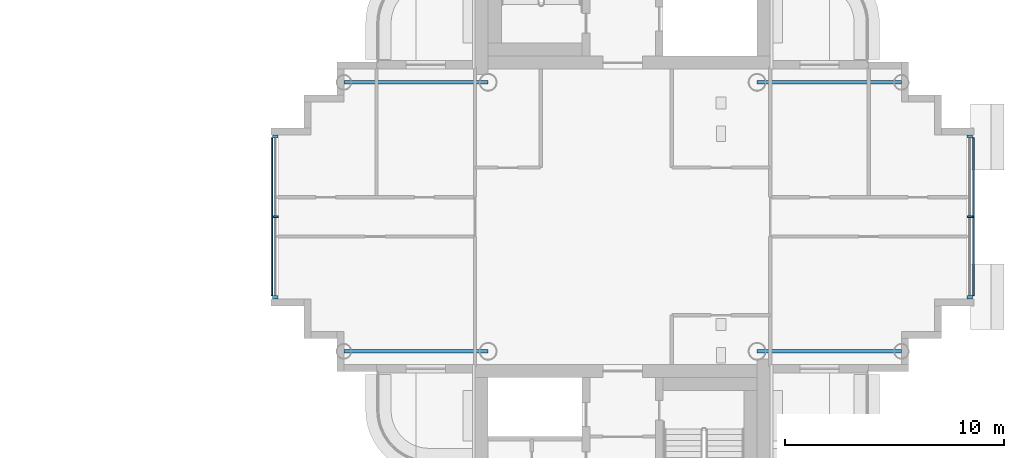
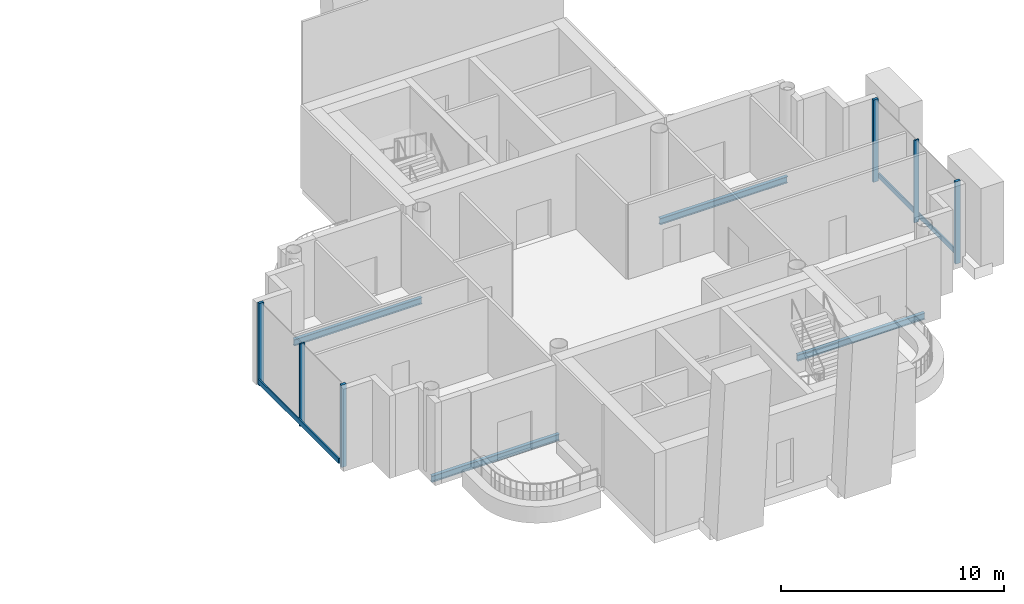
# One storey, part 4 of 20: 8 members, 4 beams, 2 elements without a shape of their own.
"""IFC4 building model written with IfcOpenShell, lengths in metres."""

import ifcopenshell
import ifcopenshell.guid

model = None  # the IFC model being written
_history = None  # IfcOwnerHistory: only IFC2X3 demands one
_inside = {}  # id of a spatial element -> (the spatial element, [elements in it])
_under = {}  # id of a project, library or spatial element -> (it, [spatial elements below it])
_declared = {}  # id of a project -> (the project, [libraries it declares])
_typed = {}  # id of a type object -> (the type object, [elements of that type])
_made_of = {}  # id of a material, layer set ... -> (it, [elements and type objects made of it])


def new_model(schema):
    """Start an empty IFC model of exactly this schema.

    Asked for "IFC4X3", IfcOpenShell would pick the latest addendum, in which some entities
    have other attributes; the version numbers below select the first issue.
    IFC2X3 requires an IfcOwnerHistory on every rooted entity: one is made here for all.
    """
    global model, _history
    if schema == "IFC4X3":
        model = ifcopenshell.file(schema_version=(4, 3, 0, 0))
    else:
        model = ifcopenshell.file(schema=schema)
    _inside.clear()
    _under.clear()
    _declared.clear()
    _typed.clear()
    _made_of.clear()
    _history = None
    if model.schema == "IFC2X3":
        org = make("IfcOrganization", Name="unknown")
        user = make(
            "IfcPersonAndOrganization",
            ThePerson=make("IfcPerson", FamilyName="unknown"),
            TheOrganization=org,
        )
        app = make(
            "IfcApplication",
            ApplicationDeveloper=org,
            Version="unknown",
            ApplicationFullName="unknown",
            ApplicationIdentifier="unknown",
        )
        _history = make(
            "IfcOwnerHistory",
            OwningUser=user,
            OwningApplication=app,
            ChangeAction="ADDED",
            CreationDate=0,
        )
    return model


def make(cls, **values):
    """One entity of the class cls with the attributes given. An attribute that is None is left unset."""
    return model.create_entity(
        cls, **{name: value for name, value in values.items() if value is not None}
    )


def rooted(cls, **values):
    """An entity with a GlobalId (a new one), such as an element, a storey or a relation."""
    return make(cls, GlobalId=ifcopenshell.guid.new(), OwnerHistory=_history, **values)


def si_unit(unit_type, name, prefix=None):
    """IfcSIUnit, for example si_unit("LENGTHUNIT", "METRE", prefix="MILLI")."""
    return make("IfcSIUnit", UnitType=unit_type, Prefix=prefix, Name=name)


def assignment(units):
    """IfcUnitAssignment: the units of a project."""
    return None if units is None else make("IfcUnitAssignment", Units=units)


def point(xyz):
    """IfcCartesianPoint."""
    return None if xyz is None else make("IfcCartesianPoint", Coordinates=xyz)


def direction(xyz):
    """IfcDirection."""
    return None if xyz is None else make("IfcDirection", DirectionRatios=xyz)


def frame(location, z_axis=None, x_axis=None):
    """IfcAxis2Placement3D, a coordinate frame: its origin and axes. An axis left out is left unset."""
    return make(
        "IfcAxis2Placement3D",
        Location=point(location),
        Axis=direction(z_axis),
        RefDirection=direction(x_axis),
    )


def frame_2d(location, x_axis=None):
    """IfcAxis2Placement2D, a coordinate frame in the plane: its origin and x axis."""
    return make(
        "IfcAxis2Placement2D", Location=point(location), RefDirection=direction(x_axis)
    )


def origin():
    """The frame at (0, 0, 0) with its axes left unset."""
    return frame((0.0, 0.0, 0.0))


def origin_2d():
    """The frame at (0, 0) in the plane with its x axis left unset."""
    return frame_2d((0.0, 0.0))


def place(relative_to, where):
    """IfcLocalPlacement: puts the frame where relative to a parent placement (None: the world)."""
    return make(
        "IfcLocalPlacement", PlacementRelTo=relative_to, RelativePlacement=where
    )


def context(
    kind, dimensions, precision=None, world=None, true_north=None, identifier=None
):
    """IfcGeometricRepresentationContext, for example the 3D "Model" context."""
    return make(
        "IfcGeometricRepresentationContext",
        ContextIdentifier=identifier,
        ContextType=kind,
        CoordinateSpaceDimension=dimensions,
        Precision=precision,
        WorldCoordinateSystem=world,
        TrueNorth=true_north,
    )


def subcontext(parent, identifier, kind, view, scale=None):
    """IfcGeometricRepresentationSubContext, for example "Body" below "Model"."""
    return make(
        "IfcGeometricRepresentationSubContext",
        ContextIdentifier=identifier,
        ContextType=kind,
        ParentContext=parent,
        TargetScale=scale,
        TargetView=view,
    )


def project(units=None, contexts=None):
    """IfcProject with its units and contexts."""
    return rooted(
        "IfcProject",
        Name="project",
        RepresentationContexts=contexts,
        UnitsInContext=assignment(units),
    )


def spatial(cls, under=None, at=None, **own):
    """A site, building, storey or space (cls), placed at a placement, below another one or the project."""
    s = rooted(cls, ObjectPlacement=at, **own)
    if under is not None:
        _under.setdefault(under.id(), (under, []))[1].append(s)
    return s


def profile(cls, at=None, kind="AREA", **sizes):
    """A parametric profile (cls). Its sizes go by their IFC names, for example OverallWidth=200.0."""
    return make(cls, ProfileType=kind, Position=at, **sizes)


def rectangle(**sizes):
    """IfcRectangleProfileDef."""
    return profile("IfcRectangleProfileDef", **sizes)


def i_section(**sizes):
    """IfcIShapeProfileDef."""
    return profile("IfcIShapeProfileDef", **sizes)


def extrude(swept, where, along, depth):
    """IfcExtrudedAreaSolid: the profile swept, set in the frame where, extruded along a direction by depth."""
    return make(
        "IfcExtrudedAreaSolid",
        SweptArea=swept,
        Position=where,
        ExtrudedDirection=direction(along),
        Depth=depth,
    )


def shape(context_of_items, identifier, shape_type, items):
    """IfcShapeRepresentation: the items that make up one representation, for example the "Body"."""
    return make(
        "IfcShapeRepresentation",
        ContextOfItems=context_of_items,
        RepresentationIdentifier=identifier,
        RepresentationType=shape_type,
        Items=items,
    )


def material(Name=None, Category=None):
    """IfcMaterial."""
    return make("IfcMaterial", Name=Name, Category=Category)


def layer(
    of_material, thickness, ventilated=None, Name=None, Category=None, Priority=None
):
    """IfcMaterialLayer: one layer of a wall or slab, of a material (None: an air gap)."""
    return make(
        "IfcMaterialLayer",
        Material=of_material,
        LayerThickness=thickness,
        IsVentilated=ventilated,
        Name=Name,
        Category=Category,
        Priority=Priority,
    )


def layer_set(layers, Name=None):
    """IfcMaterialLayerSet."""
    return make("IfcMaterialLayerSet", MaterialLayers=layers, LayerSetName=Name)


def material_profile(
    of_material, cross_section, Name=None, Category=None, Priority=None
):
    """IfcMaterialProfile: a cross section and its material."""
    return make(
        "IfcMaterialProfile",
        Name=Name,
        Material=of_material,
        Profile=cross_section,
        Priority=Priority,
        Category=Category,
    )


def profile_set(profiles, Name=None, composite=None):
    """IfcMaterialProfileSet."""
    return make(
        "IfcMaterialProfileSet",
        Name=Name,
        MaterialProfiles=profiles,
        CompositeProfile=composite,
    )


def made_of(thing, what):
    """Note that an element or type object is made of a material, layer set ...; save() writes the relation."""
    if what is not None:
        _made_of.setdefault(what.id(), (what, []))[1].append(thing)
    return thing


def type_object(cls, material=None, **own):
    """A type object (cls), such as IfcWallType, which elements share."""
    return made_of(rooted(cls, **own), material)


def element(
    cls,
    number,
    at=None,
    inside=None,
    cuts=None,
    type_object=None,
    material=None,
    context=None,
    identifier="Body",
    shape_type=None,
    held_by="IfcProductDefinitionShape",
    body=None,
    shapes=None,
    **own,
):
    """One element of the class cls, such as IfcWall. Its Tag is "e" and its number.

    at: its placement. inside: the storey or other place that contains it. cuts: it is an
    opening in that element (IfcRelVoidsElement). A single representation is given by context,
    identifier, shape_type and body (its items); several are given by shapes. held_by: the class
    of the entity that holds the representations. save() writes the other relations.
    """
    e = rooted(cls, Tag="e%d" % number, ObjectPlacement=at, **own)
    if body is not None:
        shapes = [shape(context, identifier, shape_type, body)]
    if shapes is not None:
        e.Representation = make(held_by, Representations=shapes)
    if inside is not None:
        _inside.setdefault(inside.id(), (inside, []))[1].append(e)
    if cuts is not None:
        rooted(
            "IfcRelVoidsElement", RelatingBuildingElement=cuts, RelatedOpeningElement=e
        )
    if type_object is not None:
        _typed.setdefault(type_object.id(), (type_object, []))[1].append(e)
    return made_of(e, material)


def aggregate(whole, parts):
    """IfcRelAggregates: a whole, such as a stair, and the parts it consists of."""
    return rooted("IfcRelAggregates", RelatingObject=whole, RelatedObjects=parts)


def save(model, path):
    """Write the relations noted so far, then the file.

    IfcRelAggregates (storeys below a building ...), IfcRelContainedInSpatialStructure (elements
    in a storey), IfcRelDefinesByType, IfcRelAssociatesMaterial and IfcRelDeclares: one each for
    every whole, place, type object, material and project.
    """
    for whole, parts in _under.values():
        aggregate(whole, parts)
    for where, things in _inside.values():
        rooted(
            "IfcRelContainedInSpatialStructure",
            RelatedElements=things,
            RelatingStructure=where,
        )
    for kind, things in _typed.values():
        rooted("IfcRelDefinesByType", RelatedObjects=things, RelatingType=kind)
    for what, things in _made_of.values():
        rooted("IfcRelAssociatesMaterial", RelatedObjects=things, RelatingMaterial=what)
    for by, libraries in _declared.values():
        rooted("IfcRelDeclares", RelatingContext=by, RelatedDefinitions=libraries)
    model.write(path)


model = new_model("IFC4")

# Units and contexts
model_context = context("Model", 3, precision=1e-05, world=origin(), true_north=direction((0.0, 1.0)))
body_context = subcontext(model_context, "Body", "Model", "MODEL_VIEW")
ifc_project = project(units=[si_unit("LENGTHUNIT", "METRE"), si_unit("AREAUNIT", "SQUARE_METRE"), si_unit("VOLUMEUNIT", "CUBIC_METRE"), si_unit("PLANEANGLEUNIT", "RADIAN"), si_unit("MASSUNIT", "GRAM", prefix="KILO")], contexts=[model_context])

# Site, building, storey
site_placement = place(None, origin())
site = spatial("IfcSite", under=ifc_project, at=site_placement, CompositionType="ELEMENT")
building_placement = place(site_placement, origin())
building = spatial("IfcBuilding", under=site, at=building_placement, Name="Ipe Terrace Towers", CompositionType="ELEMENT")
storey_placement = place(building_placement, frame((0.0, 0.0, 242.39990234375)))
storey = spatial("IfcBuildingStorey", under=building, at=storey_placement, Name="L67", CompositionType="ELEMENT", Elevation=242.39990234375)

# Beams
ifc_material_1 = material(Name="Steel S355", Category="steel")
ifc_material_profile_1 = material_profile(ifc_material_1, i_section(OverallWidth=0.175048828125, OverallDepth=0.35009765625, WebThickness=0.007080078125, FlangeThickness=0.010986328125, at=origin_2d()), Name="H-350x175x7x11")
ifc_profile_set_1 = profile_set([ifc_material_profile_1], Name="Steel S355")
beam_type = type_object("IfcBeamType", Name="H04 EDGE BEAM H-350x175x7x11", PredefinedType="BEAM", material=ifc_profile_set_1)
for number, where, z_axis, x_axis, name in (
    (1, (23.25, 6.14990234375, -0.574951171875), (1.0, 0.0, 0.0), (0.0, 1.0, 0.0), "Edge beam T2-EB-B01-E03"),
    (2, (23.25, -6.14990234375, -0.574951171875), (1.0, 0.0, 0.0), (0.0, 1.0, 0.0), "Edge beam T2-EB-B02-E04"),
    (3, (48.75, -6.14990234375, -0.574951171875), (-1.0, 0.0, 0.0), (0.0, -1.0, 0.0), "Edge beam T2-EB-D01-E01"),
    (4, (48.75, 6.14990234375, -0.574951171875), (-1.0, 0.0, 0.0), (0.0, -1.0, 0.0), "Edge beam T2-EB-D02-E02"),
):
    element("IfcBeam", number, at=place(storey_placement, frame(where, z_axis=z_axis, x_axis=x_axis)), inside=storey, type_object=beam_type, Name=name, PredefinedType="BEAM", context=body_context, shape_type="SweptSolid", body=[
        extrude(i_section(OverallWidth=0.175048828125, OverallDepth=0.35009765625, WebThickness=0.007080078125, FlangeThickness=0.010986328125, at=origin_2d()), origin(), (0.0, 0.0, 1.0), 6.60009765625),
    ])

# Curtain wall, members
ifc_material_2 = material(Name="Aluminium alloy 6063-T6", Category="aluminium")
ifc_layer = layer(ifc_material_2, 0.320068359375)
ifc_layer_set = layer_set([ifc_layer], Name="LANTERN CURTAIN WALL")
curtain_wall_type = type_object("IfcCurtainWallType", Name="LANTERN CURTAIN WALL", PredefinedType="NOTDEFINED", material=ifc_layer_set)
curtain_wall_1_placement = place(storey_placement, origin())
curtain_wall_1 = element("IfcCurtainWall", 5, at=curtain_wall_1_placement, inside=storey, type_object=curtain_wall_type, Name="T2-CW-L67-08a curtain wall", PredefinedType="NOTDEFINED")
ifc_material_3 = material(Name="Aluminium alloy 6063-T6", Category="aluminium")
ifc_material_profile_2 = material_profile(ifc_material_3, rectangle(XDim=0.25, YDim=0.139892578125, at=origin_2d()), Name="LANTERN CORNER MULLION 250 x 140")
ifc_profile_set_2 = profile_set([ifc_material_profile_2], Name="Aluminium alloy 6063-T6")
member_type_1 = type_object("IfcMemberType", Name="LANTERN CORNER MULLION 250 x 140", PredefinedType="MULLION", material=ifc_profile_set_2)
member_1_placement = place(storey_placement, frame((51.875, -3.679931640625, -0.2998046875), z_axis=(0.0, 0.0, 1.0), x_axis=(1.0, 0.0, 0.0)))
member_1 = element("IfcMember", 6, at=member_1_placement, type_object=member_type_1, Name="T2-CW-L67-08a mullion 1", PredefinedType="MULLION", context=body_context, shape_type="SweptSolid", body=[
    extrude(rectangle(XDim=0.25, YDim=0.139892578125, at=origin_2d()), origin(), (0.0, 0.0, 1.0), 4.5),
])
member_2_placement = place(storey_placement, frame((51.875, 3.679931640625, -0.2998046875), z_axis=(0.0, 0.0, 1.0), x_axis=(1.0, 0.0, 0.0)))
member_2 = element("IfcMember", 7, at=member_2_placement, type_object=member_type_1, Name="T2-CW-L67-08a mullion 3", PredefinedType="MULLION", context=body_context, shape_type="SweptSolid", body=[
    extrude(rectangle(XDim=0.25, YDim=0.139892578125, at=origin_2d()), origin(), (0.0, 0.0, 1.0), 4.5),
])

curtain_wall_2_placement = place(storey_placement, origin())
curtain_wall_2 = element("IfcCurtainWall", 8, at=curtain_wall_2_placement, inside=storey, type_object=curtain_wall_type, Name="T2-CW-L67-26a curtain wall", PredefinedType="NOTDEFINED")
member_3_placement = place(storey_placement, frame((20.125, 3.679931640625, -0.2998046875), z_axis=(0.0, 0.0, 1.0), x_axis=(-1.0, 0.0, 0.0)))
member_3 = element("IfcMember", 9, at=member_3_placement, type_object=member_type_1, Name="T2-CW-L67-26a mullion 1", PredefinedType="MULLION", context=body_context, shape_type="SweptSolid", body=[
    extrude(rectangle(XDim=0.25, YDim=0.139892578125, at=origin_2d()), origin(), (0.0, 0.0, 1.0), 4.5),
])
member_4_placement = place(storey_placement, frame((20.125, -3.679931640625, -0.2998046875), z_axis=(0.0, 0.0, 1.0), x_axis=(-1.0, 0.0, 0.0)))
member_4 = element("IfcMember", 10, at=member_4_placement, type_object=member_type_1, Name="T2-CW-L67-26a mullion 3", PredefinedType="MULLION", context=body_context, shape_type="SweptSolid", body=[
    extrude(rectangle(XDim=0.25, YDim=0.139892578125, at=origin_2d()), origin(), (0.0, 0.0, 1.0), 4.5),
])

# Member
ifc_material_4 = material(Name="Aluminium alloy 6063-T6", Category="aluminium")
ifc_material_profile_3 = material_profile(ifc_material_4, rectangle(XDim=0.25, YDim=0.080078125, at=origin_2d()), Name="LANTERN MULLION 250 x 80")
ifc_profile_set_3 = profile_set([ifc_material_profile_3], Name="Aluminium alloy 6063-T6")
member_type_2 = type_object("IfcMemberType", Name="LANTERN MULLION 250 x 80", PredefinedType="MULLION", material=ifc_profile_set_3)
member_5_placement = place(storey_placement, frame((51.875, 0.0, -0.2998046875), z_axis=(0.0, 0.0, 1.0), x_axis=(1.0, 0.0, 0.0)))
member_5 = element("IfcMember", 11, at=member_5_placement, type_object=member_type_2, Name="T2-CW-L67-08a mullion 2", PredefinedType="MULLION", context=body_context, shape_type="SweptSolid", body=[
    extrude(rectangle(XDim=0.25, YDim=0.080078125, at=origin_2d()), origin(), (0.0, 0.0, 1.0), 4.5),
])

member_6_placement = place(storey_placement, frame((20.125, 0.0, -0.2998046875), z_axis=(0.0, 0.0, 1.0), x_axis=(-1.0, 0.0, 0.0)))
member_6 = element("IfcMember", 12, at=member_6_placement, type_object=member_type_2, Name="T2-CW-L67-26a mullion 2", PredefinedType="MULLION", context=body_context, shape_type="SweptSolid", body=[
    extrude(rectangle(XDim=0.25, YDim=0.080078125, at=origin_2d()), origin(), (0.0, 0.0, 1.0), 4.5),
])

ifc_material_5 = material(Name="Aluminium alloy 6063-T6", Category="aluminium")
ifc_material_profile_4 = material_profile(ifc_material_5, rectangle(XDim=0.070068359375, YDim=0.280029296875, at=origin_2d()), Name="LANTERN TRANSOM 70 x 280")
ifc_profile_set_4 = profile_set([ifc_material_profile_4], Name="Aluminium alloy 6063-T6")
member_type_3 = type_object("IfcMemberType", Name="LANTERN TRANSOM 70 x 280", PredefinedType="USERDEFINED", material=ifc_profile_set_4)
member_7_placement = place(storey_placement, frame((52.034912109375, -3.610107421875, 0.0), z_axis=(0.0, 1.0, 0.0), x_axis=(1.0, 0.0, 0.0)))
member_7 = element("IfcMember", 13, at=member_7_placement, type_object=member_type_3, Name="T2-CW-L67-08a transom", ObjectType="TRANSOM", PredefinedType="USERDEFINED", context=body_context, shape_type="SweptSolid", body=[
    extrude(rectangle(XDim=0.070068359375, YDim=0.280029296875, at=origin_2d()), origin(), (0.0, 0.0, 1.0), 7.22021484375),
])

aggregate(curtain_wall_1, [member_1, member_5, member_2, member_7])

member_8_placement = place(storey_placement, frame((19.965087890625, 3.610107421875, 0.0), z_axis=(0.0, -1.0, 0.0), x_axis=(-1.0, 0.0, 0.0)))
member_8 = element("IfcMember", 14, at=member_8_placement, type_object=member_type_3, Name="T2-CW-L67-26a transom", ObjectType="TRANSOM", PredefinedType="USERDEFINED", context=body_context, shape_type="SweptSolid", body=[
    extrude(rectangle(XDim=0.070068359375, YDim=0.280029296875, at=origin_2d()), origin(), (0.0, 0.0, 1.0), 7.22021484375),
])

aggregate(curtain_wall_2, [member_3, member_6, member_4, member_8])

save(model, "model.ifc")
